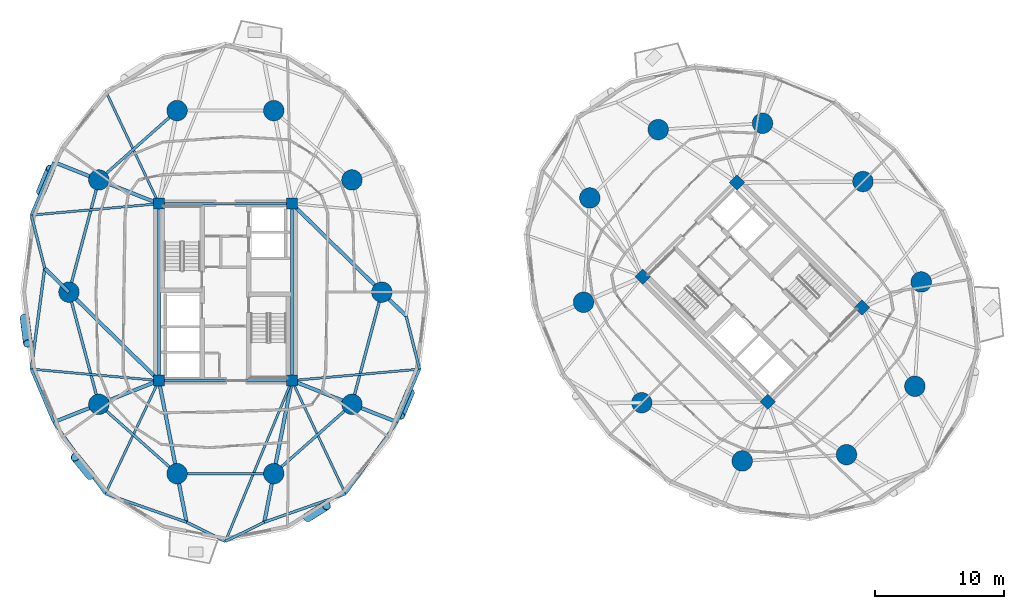
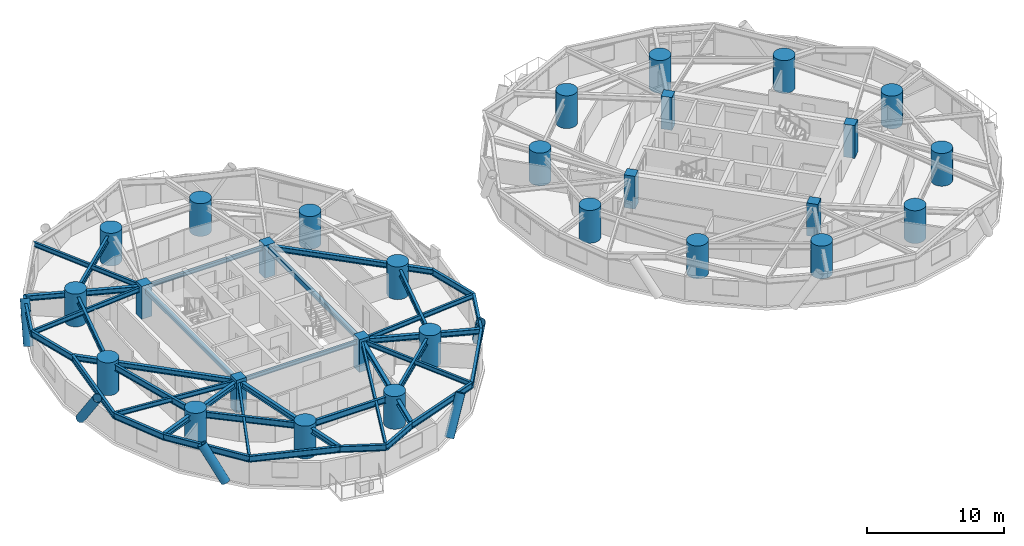
# One storey, part 1 of 17: 38 beams, 28 columns, 5 members.
"""IFC4 building model written with IfcOpenShell, lengths in metres."""

from ifc_helpers import new_model, si_unit, direction, frame, origin, origin_2d, place, context, subcontext, project, spatial, rectangle, hollow_rectangle, circle, hollow_circle, i_section, extrude, material, material_profile, profile_set, type_object, element, save


model = new_model("IFC4")

# Units and contexts
model_context = context("Model", 3, precision=1e-05, world=origin(), true_north=direction((0.0, 1.0)))
body_context = subcontext(model_context, "Body", "Model", "MODEL_VIEW")
ifc_project = project(units=[si_unit("LENGTHUNIT", "METRE"), si_unit("AREAUNIT", "SQUARE_METRE"), si_unit("VOLUMEUNIT", "CUBIC_METRE"), si_unit("PLANEANGLEUNIT", "RADIAN"), si_unit("MASSUNIT", "GRAM", prefix="KILO")], contexts=[model_context])

# Site, building, storey
site_placement = place(None, origin())
site = spatial("IfcSite", under=ifc_project, at=site_placement, CompositionType="ELEMENT")
building_placement = place(site_placement, origin())
building = spatial("IfcBuilding", under=site, at=building_placement, Name="Cununo Teusaquillo Station Towers", CompositionType="ELEMENT")
storey_placement = place(building_placement, frame((0.0, 0.0, 59.830078125)))
storey = spatial("IfcBuildingStorey", under=building, at=storey_placement, Name="L18", CompositionType="ELEMENT", Elevation=59.830078125)

# Columns
ifc_material_1 = material(Name="Concrete C50/60", Category="concrete")
ifc_material_profile_1 = material_profile(ifc_material_1, rectangle(XDim=0.85009765625, YDim=0.85009765625, at=origin_2d()), Name="RC-RECT-850x850")
ifc_profile_set_1 = profile_set([ifc_material_profile_1], Name="Concrete C50/60")
column_type_1 = type_object("IfcColumnType", Name="COL-CORE-Z1", PredefinedType="COLUMN", material=ifc_profile_set_1)
for number, where, z_axis, x_axis, name in (
    (1, (11.324951171875, 17.6201171875, 0.0), (0.0, 0.0, 1.0), (1.0, 0.0, 0.0), "L18 Tower A Core Column 1"),
    (2, (11.324951171875, 31.3798828125, 0.0), (0.0, 0.0, 1.0), (1.0, 0.0, 0.0), "L18 Tower A Core Column 2"),
    (3, (21.675048828125, 17.6201171875, 0.0), (0.0, 0.0, 1.0), (1.0, 0.0, 0.0), "L18 Tower A Core Column 3"),
    (4, (21.675048828125, 31.3798828125, 0.0), (0.0, 0.0, 1.0), (1.0, 0.0, 0.0), "L18 Tower A Core Column 4"),
    (5, (58.70556640625, 15.975830078125, 0.0), (0.0, 0.0, 1.0), (0.707106781187, 0.707106781187, 0.0), "L18 Tower B Core Column 1"),
    (6, (48.975830078125, 25.70556640625, 0.0), (0.0, 0.0, 1.0), (0.707106781187, 0.707106781187, 0.0), "L18 Tower B Core Column 2"),
    (7, (66.024169921875, 23.29443359375, 0.0), (0.0, 0.0, 1.0), (0.707106781187, 0.707106781187, 0.0), "L18 Tower B Core Column 3"),
    (8, (56.29443359375, 33.024169921875, 0.0), (0.0, 0.0, 1.0), (0.707106781187, 0.707106781187, 0.0), "L18 Tower B Core Column 4"),
):
    element("IfcColumn", number, at=place(storey_placement, frame(where, z_axis=z_axis, x_axis=x_axis)), inside=storey, type_object=column_type_1, Name=name, PredefinedType="COLUMN", context=body_context, shape_type="SweptSolid", body=[
        extrude(rectangle(XDim=0.85009765625, YDim=0.85009765625, at=origin_2d()), origin(), (0.0, 0.0, 1.0), 2.909912109375),
    ])
ifc_material_2 = material(Name="Concrete C60/75", Category="concrete")
ifc_material_profile_2 = material_profile(ifc_material_2, circle(Radius=0.800048828125, at=origin_2d()), Name="RC-CIRC-1600")
ifc_profile_set_2 = profile_set([ifc_material_profile_2], Name="Concrete C60/75")
column_type_2 = type_object("IfcColumnType", Name="COL-MEGA-Z1", PredefinedType="USERDEFINED", material=ifc_profile_set_2)
for number, where, z_axis, x_axis, name in (
    (9, (28.672119140625, 24.5, 0.0), (0.0, 0.0, 1.0), (1.0, 0.0, 0.0), "L18 Tower A Perimeter Column V00"),
    (10, (26.347412109375, 33.228515625, 0.0), (0.0, 0.0, 1.0), (1.0, 0.0, 0.0), "L18 Tower A Perimeter Column V02"),
    (11, (20.261474609375, 38.623291015625, 0.0), (0.0, 0.0, 1.0), (1.0, 0.0, 0.0), "L18 Tower A Perimeter Column V04"),
    (12, (12.738525390625, 38.623291015625, 0.0), (0.0, 0.0, 1.0), (1.0, 0.0, 0.0), "L18 Tower A Perimeter Column V06"),
    (13, (6.652587890625, 33.228515625, 0.0), (0.0, 0.0, 1.0), (1.0, 0.0, 0.0), "L18 Tower A Perimeter Column V08"),
    (14, (4.327880859375, 24.5, 0.0), (0.0, 0.0, 1.0), (1.0, 0.0, 0.0), "L18 Tower A Perimeter Column V10"),
    (15, (6.652587890625, 15.771484375, 0.0), (0.0, 0.0, 1.0), (1.0, 0.0, 0.0), "L18 Tower A Perimeter Column V12"),
    (16, (12.738525390625, 10.376708984375, 0.0), (0.0, 0.0, 1.0), (1.0, 0.0, 0.0), "L18 Tower A Perimeter Column V14"),
    (17, (20.261474609375, 10.376708984375, 0.0), (0.0, 0.0, 1.0), (1.0, 0.0, 0.0), "L18 Tower A Perimeter Column V16"),
    (18, (26.347412109375, 15.771484375, 0.0), (0.0, 0.0, 1.0), (1.0, 0.0, 0.0), "L18 Tower A Perimeter Column V18"),
    (19, (66.10693359375, 33.10693359375, 0.0), (0.0, 0.0, 1.0), (1.0, 0.0, 0.0), "L18 Tower B Perimeter Column V00"),
    (20, (58.291015625, 37.63525390625, 0.0), (0.0, 0.0, 1.0), (1.0, 0.0, 0.0), "L18 Tower B Perimeter Column V02"),
    (21, (50.173095703125, 37.146240234375, 0.0), (0.0, 0.0, 1.0), (1.0, 0.0, 0.0), "L18 Tower B Perimeter Column V04"),
    (22, (44.853759765625, 31.826904296875, 0.0), (0.0, 0.0, 1.0), (1.0, 0.0, 0.0), "L18 Tower B Perimeter Column V06"),
    (23, (44.36474609375, 23.708984375, 0.0), (0.0, 0.0, 1.0), (1.0, 0.0, 0.0), "L18 Tower B Perimeter Column V08"),
    (24, (48.89306640625, 15.89306640625, 0.0), (0.0, 0.0, 1.0), (1.0, 0.0, 0.0), "L18 Tower B Perimeter Column V10"),
    (25, (56.708984375, 11.36474609375, 0.0), (0.0, 0.0, 1.0), (1.0, 0.0, 0.0), "L18 Tower B Perimeter Column V12"),
    (26, (64.826904296875, 11.853759765625, 0.0), (0.0, 0.0, 1.0), (1.0, 0.0, 0.0), "L18 Tower B Perimeter Column V14"),
    (27, (70.146240234375, 17.173095703125, 0.0), (0.0, 0.0, 1.0), (1.0, 0.0, 0.0), "L18 Tower B Perimeter Column V16"),
    (28, (70.63525390625, 25.291015625, 0.0), (0.0, 0.0, 1.0), (1.0, 0.0, 0.0), "L18 Tower B Perimeter Column V18"),
):
    element("IfcColumn", number, at=place(storey_placement, frame(where, z_axis=z_axis, x_axis=x_axis)), inside=storey, type_object=column_type_2, Name=name, ObjectType="MEGA COLUMN", PredefinedType="USERDEFINED", context=body_context, shape_type="SweptSolid", body=[
        extrude(circle(Radius=0.800048828125, at=origin_2d()), origin(), (0.0, 0.0, 1.0), 2.909912109375),
    ])

# Beams
ifc_material_3 = material(Name="Steel EN 10025-2 S355J2", Category="steel")
ifc_material_profile_3 = material_profile(ifc_material_3, hollow_rectangle(XDim=0.25, YDim=0.449951171875, WallThickness=0.01611328125, at=origin_2d()), Name="RHS 450x250x16")
ifc_profile_set_3 = profile_set([ifc_material_profile_3], Name="Steel EN 10025-2 S355J2")
beam_type_1 = type_object("IfcBeamType", Name="BM-COUP-1", PredefinedType="USERDEFINED", material=ifc_profile_set_3)
for number, where, z_axis, x_axis, name in (
    (29, (11.324951171875, 17.6201171875, 2.4248046875), (0.0, 1.0, 0.0), (-1.0, 0.0, 0.0), "L18 Tower A Core Beam 1"),
    (30, (21.675048828125, 17.6201171875, 2.4248046875), (0.0, 1.0, 0.0), (-1.0, 0.0, 0.0), "L18 Tower A Core Beam 2"),
):
    element("IfcBeam", number, at=place(storey_placement, frame(where, z_axis=z_axis, x_axis=x_axis)), inside=storey, type_object=beam_type_1, Name=name, ObjectType="COUPLING BEAM", PredefinedType="USERDEFINED", context=body_context, shape_type="SweptSolid", body=[
        extrude(hollow_rectangle(XDim=0.25, YDim=0.449951171875, WallThickness=0.01611328125, at=origin_2d()), origin(), (0.0, 0.0, 1.0), 13.759765625),
    ])
ifc_material_4 = material(Name="Steel ASTM A572 Grade 50", Category="steel")
ifc_material_profile_4 = material_profile(ifc_material_4, i_section(OverallWidth=0.180908203125, OverallDepth=0.4169921875, WebThickness=0.010986328125, FlangeThickness=0.018310546875, FilletRadius=0.012939453125, at=origin_2d()), Name="W16X57")
ifc_profile_set_4 = profile_set([ifc_material_profile_4], Name="Steel ASTM A572 Grade 50")
beam_type_2 = type_object("IfcBeamType", Name="BM-JOIST-1", PredefinedType="JOIST", material=ifc_profile_set_4)
beam_1_placement = place(storey_placement, frame((11.324951171875, 31.3798828125, 2.44140625), z_axis=(-0.427160580437, 0.904175778552, 0.0), x_axis=(-0.904175778552, -0.427160580437, 0.0)))
element("IfcBeam", 31, at=beam_1_placement, inside=storey, type_object=beam_type_2, Name="L18 Tower A Radial Spandrel Joist V07", PredefinedType="JOIST", context=body_context, shape_type="SweptSolid", body=[
    extrude(i_section(OverallWidth=0.180908203125, OverallDepth=0.4169921875, WebThickness=0.010986328125, FlangeThickness=0.018310546875, FilletRadius=0.012939453125, at=origin_2d()), origin(), (0.0, 0.0, 1.0), 9.740234375),
])
for number, where, z_axis, x_axis, name in (
    (32, (11.324951171875, 31.3798828125, 2.44140625), (-0.996024214913, -0.089082901314, 0.0), (0.089082901314, -0.996024214913, 0.0), "L18 Tower A Radial Spandrel Joist V09"),
    (33, (11.324951171875, 17.6201171875, 2.44140625), (-0.996024214913, 0.089082901314, 0.0), (-0.089082901314, -0.996024214913, 0.0), "L18 Tower A Radial Spandrel Joist V11"),
):
    element("IfcBeam", number, at=place(storey_placement, frame(where, z_axis=z_axis, x_axis=x_axis)), inside=storey, type_object=beam_type_2, Name=name, PredefinedType="JOIST", context=body_context, shape_type="SweptSolid", body=[
        extrude(i_section(OverallWidth=0.180908203125, OverallDepth=0.4169921875, WebThickness=0.010986328125, FlangeThickness=0.018310546875, FilletRadius=0.012939453125, at=origin_2d()), origin(), (0.0, 0.0, 1.0), 9.97021484375),
    ])
beam_2_placement = place(storey_placement, frame((11.324951171875, 17.6201171875, 2.44140625), z_axis=(-0.427160580437, -0.904175778552, 0.0), x_axis=(0.904175778552, -0.427160580437, 0.0)))
element("IfcBeam", 34, at=beam_2_placement, inside=storey, type_object=beam_type_2, Name="L18 Tower A Radial Spandrel Joist V13", PredefinedType="JOIST", context=body_context, shape_type="SweptSolid", body=[
    extrude(i_section(OverallWidth=0.180908203125, OverallDepth=0.4169921875, WebThickness=0.010986328125, FlangeThickness=0.018310546875, FilletRadius=0.012939453125, at=origin_2d()), origin(), (0.0, 0.0, 1.0), 9.740234375),
])
beam_3_placement = place(storey_placement, frame((21.675048828125, 17.6201171875, 2.44140625), z_axis=(-0.382256753081, -0.924056153447, 0.0), x_axis=(0.924056153447, -0.382256753081, 0.0)))
element("IfcBeam", 35, at=beam_3_placement, inside=storey, type_object=beam_type_2, Name="L18 Tower A Radial Spandrel Joist V15", PredefinedType="JOIST", context=body_context, shape_type="SweptSolid", body=[
    extrude(i_section(OverallWidth=0.180908203125, OverallDepth=0.4169921875, WebThickness=0.010986328125, FlangeThickness=0.018310546875, FilletRadius=0.012939453125, at=origin_2d()), origin(), (0.0, 0.0, 1.0), 13.5380859375),
])
beam_4_placement = place(storey_placement, frame((21.675048828125, 17.6201171875, 2.44140625), z_axis=(0.427160580437, -0.904175778552, 0.0), x_axis=(0.904175778552, 0.427160580437, 0.0)))
element("IfcBeam", 36, at=beam_4_placement, inside=storey, type_object=beam_type_2, Name="L18 Tower A Radial Spandrel Joist V17", PredefinedType="JOIST", context=body_context, shape_type="SweptSolid", body=[
    extrude(i_section(OverallWidth=0.180908203125, OverallDepth=0.4169921875, WebThickness=0.010986328125, FlangeThickness=0.018310546875, FilletRadius=0.012939453125, at=origin_2d()), origin(), (0.0, 0.0, 1.0), 9.740234375),
])
beam_5_placement = place(storey_placement, frame((21.675048828125, 17.6201171875, 2.44140625), z_axis=(0.996024214913, 0.089082901314, 0.0), x_axis=(-0.089082901314, 0.996024214913, 0.0)))
element("IfcBeam", 37, at=beam_5_placement, inside=storey, type_object=beam_type_2, Name="L18 Tower A Radial Spandrel Joist V19", PredefinedType="JOIST", context=body_context, shape_type="SweptSolid", body=[
    extrude(i_section(OverallWidth=0.180908203125, OverallDepth=0.4169921875, WebThickness=0.010986328125, FlangeThickness=0.018310546875, FilletRadius=0.012939453125, at=origin_2d()), origin(), (0.0, 0.0, 1.0), 9.97021484375),
])
ifc_material_5 = material(Name="Steel ASTM A572 Grade 50", Category="steel")
ifc_material_profile_5 = material_profile(ifc_material_5, i_section(OverallWidth=0.2041015625, OverallDepth=0.35009765625, WebThickness=0.008544921875, FlangeThickness=0.01513671875, FilletRadius=0.011962890625, at=origin_2d()), Name="W14X48")
ifc_profile_set_5 = profile_set([ifc_material_profile_5], Name="Steel ASTM A572 Grade 50")
beam_type_3 = type_object("IfcBeamType", Name="BM-LINTEL-1", PredefinedType="LINTEL", material=ifc_profile_set_5)
for number, where, z_axis, x_axis, name in (
    (38, (11.324951171875, 17.6201171875, 2.474853515625), (1.0, 0.0, 0.0), (0.0, 1.0, 0.0), "L18 Tower A Core Beam 3"),
    (39, (11.324951171875, 31.3798828125, 2.474853515625), (1.0, 0.0, 0.0), (0.0, 1.0, 0.0), "L18 Tower A Core Beam 4"),
):
    element("IfcBeam", number, at=place(storey_placement, frame(where, z_axis=z_axis, x_axis=x_axis)), inside=storey, type_object=beam_type_3, Name=name, PredefinedType="LINTEL", context=body_context, shape_type="SweptSolid", body=[
        extrude(i_section(OverallWidth=0.2041015625, OverallDepth=0.35009765625, WebThickness=0.008544921875, FlangeThickness=0.01513671875, FilletRadius=0.011962890625, at=origin_2d()), origin(), (0.0, 0.0, 1.0), 10.35009765625),
    ])
ifc_material_6 = material(Name="Steel ASTM A572 Grade 50", Category="steel")
ifc_material_profile_6 = material_profile(ifc_material_6, i_section(OverallWidth=0.280029296875, OverallDepth=0.462890625, WebThickness=0.0107421875, FlangeThickness=0.017333984375, FilletRadius=0.013916015625, at=origin_2d()), Name="W18X76")
ifc_profile_set_6 = profile_set([ifc_material_profile_6], Name="Steel ASTM A572 Grade 50")
beam_type_4 = type_object("IfcBeamType", Name="BM-RAD-G1", PredefinedType="BEAM", material=ifc_profile_set_6)
beam_6_placement = place(storey_placement, frame((21.675048828125, 31.3798828125, 2.41845703125), z_axis=(0.713048497084, -0.701114713015, 0.0), x_axis=(0.701114713015, 0.713048497084, 0.0)))
element("IfcBeam", 40, at=beam_6_placement, inside=storey, type_object=beam_type_4, Name="L18 Tower A Continuous Overhanging Radial Girder 01", PredefinedType="BEAM", context=body_context, shape_type="SweptSolid", body=[
    extrude(i_section(OverallWidth=0.280029296875, OverallDepth=0.462890625, WebThickness=0.0107421875, FlangeThickness=0.017333984375, FilletRadius=0.013916015625, at=origin_2d()), origin(), (0.0, 0.0, 1.0), 12.458984375),
])
beam_7_placement = place(storey_placement, frame((11.324951171875, 31.3798828125, 2.41845703125), z_axis=(-0.929867137966, 0.367895509256, 0.0), x_axis=(-0.367895509256, -0.929867137966, 0.0)))
element("IfcBeam", 41, at=beam_7_placement, inside=storey, type_object=beam_type_4, Name="L18 Tower A Continuous Overhanging Radial Girder 05", PredefinedType="BEAM", context=body_context, shape_type="SweptSolid", body=[
    extrude(i_section(OverallWidth=0.280029296875, OverallDepth=0.462890625, WebThickness=0.0107421875, FlangeThickness=0.017333984375, FilletRadius=0.013916015625, at=origin_2d()), origin(), (0.0, 0.0, 1.0), 8.798095703125),
])
beam_8_placement = place(storey_placement, frame((11.324951171875, 17.6201171875, 2.41845703125), z_axis=(-0.713052701438, 0.701110437073, 0.0), x_axis=(-0.701110437073, -0.713052701438, 0.0)))
element("IfcBeam", 42, at=beam_8_placement, inside=storey, type_object=beam_type_4, Name="L18 Tower A Radial Girder 06A", PredefinedType="BEAM", context=body_context, shape_type="SweptSolid", body=[
    extrude(i_section(OverallWidth=0.280029296875, OverallDepth=0.462890625, WebThickness=0.0107421875, FlangeThickness=0.017333984375, FilletRadius=0.013916015625, at=origin_2d()), origin(), (0.0, 0.0, 1.0), 9.812744140625),
])
beam_9_placement = place(storey_placement, frame((4.327880859375, 24.5, 2.41845703125), z_axis=(-0.713032905062, 0.701130570079, 0.0), x_axis=(-0.701130570079, -0.713032905062, 0.0)))
element("IfcBeam", 43, at=beam_9_placement, inside=storey, type_object=beam_type_4, Name="L18 Tower A Perimeter Overhang Girder 06B", PredefinedType="BEAM", context=body_context, shape_type="SweptSolid", body=[
    extrude(i_section(OverallWidth=0.280029296875, OverallDepth=0.462890625, WebThickness=0.0107421875, FlangeThickness=0.017333984375, FilletRadius=0.013916015625, at=origin_2d()), origin(), (0.0, 0.0, 1.0), 2.64599609375),
])
beam_10_placement = place(storey_placement, frame((11.324951171875, 17.6201171875, 2.41845703125), z_axis=(-0.929867137966, -0.367895509256, 0.0), x_axis=(0.367895509256, -0.929867137966, 0.0)))
element("IfcBeam", 44, at=beam_10_placement, inside=storey, type_object=beam_type_4, Name="L18 Tower A Continuous Overhanging Radial Girder 07", PredefinedType="BEAM", context=body_context, shape_type="SweptSolid", body=[
    extrude(i_section(OverallWidth=0.280029296875, OverallDepth=0.462890625, WebThickness=0.0107421875, FlangeThickness=0.017333984375, FilletRadius=0.013916015625, at=origin_2d()), origin(), (0.0, 0.0, 1.0), 8.798095703125),
])
for number, where, z_axis, x_axis, name in (
    (45, (11.324951171875, 17.6201171875, 2.41845703125), (0.191552755713, -0.981482318628, 0.0), (0.981482318628, 0.191552755713, 0.0), "L18 Tower A Continuous Overhanging Radial Girder 08"),
    (46, (21.675048828125, 17.6201171875, 2.41845703125), (-0.191552755713, -0.981482318628, 0.0), (0.981482318628, -0.191552755713, 0.0), "L18 Tower A Continuous Overhanging Radial Girder 09"),
):
    element("IfcBeam", number, at=place(storey_placement, frame(where, z_axis=z_axis, x_axis=x_axis)), inside=storey, type_object=beam_type_4, Name=name, PredefinedType="BEAM", context=body_context, shape_type="SweptSolid", body=[
        extrude(i_section(OverallWidth=0.280029296875, OverallDepth=0.462890625, WebThickness=0.0107421875, FlangeThickness=0.017333984375, FilletRadius=0.013916015625, at=origin_2d()), origin(), (0.0, 0.0, 1.0), 11.22998046875),
    ])
beam_11_placement = place(storey_placement, frame((21.675048828125, 17.6201171875, 2.41845703125), z_axis=(0.929867137966, -0.367895509256, 0.0), x_axis=(0.367895509256, 0.929867137966, 0.0)))
element("IfcBeam", 47, at=beam_11_placement, inside=storey, type_object=beam_type_4, Name="L18 Tower A Continuous Overhanging Radial Girder 10", PredefinedType="BEAM", context=body_context, shape_type="SweptSolid", body=[
    extrude(i_section(OverallWidth=0.280029296875, OverallDepth=0.462890625, WebThickness=0.0107421875, FlangeThickness=0.017333984375, FilletRadius=0.013916015625, at=origin_2d()), origin(), (0.0, 0.0, 1.0), 8.798095703125),
])
ifc_material_7 = material(Name="Steel ASTM A572 Grade 50", Category="steel")
ifc_material_profile_7 = material_profile(ifc_material_7, i_section(OverallWidth=0.214111328125, OverallDepth=0.549072265625, WebThickness=0.0146484375, FlangeThickness=0.023681640625, FilletRadius=0.014892578125, at=origin_2d()), Name="W21X93")
ifc_profile_set_7 = profile_set([ifc_material_profile_7], Name="Steel ASTM A572 Grade 50")
beam_type_5 = type_object("IfcBeamType", Name="BM-RING-Z1", PredefinedType="SPANDREL", material=ifc_profile_set_7)
beam_12_placement = place(storey_placement, frame((12.738525390625, 38.623291015625, 2.37548828125), z_axis=(-0.74832120039, -0.66333655187, 0.0), x_axis=(0.66333655187, -0.74832120039, 0.0)))
element("IfcBeam", 48, at=beam_12_placement, inside=storey, type_object=beam_type_5, Name="L18 Tower A Structural Column Ring Girder 04", PredefinedType="SPANDREL", context=body_context, shape_type="SweptSolid", body=[
    extrude(i_section(OverallWidth=0.214111328125, OverallDepth=0.549072265625, WebThickness=0.0146484375, FlangeThickness=0.023681640625, FilletRadius=0.014892578125, at=origin_2d()), origin(), (0.0, 0.0, 1.0), 8.1328125),
])
for number, where, z_axis, x_axis, name in (
    (49, (6.652587890625, 33.228515625, 2.37548828125), (-0.257363196347, -0.966314744359, 0.0), (0.966314744359, -0.257363196347, 0.0), "L18 Tower A Structural Column Ring Girder 05"),
    (50, (4.327880859375, 24.5, 2.37548828125), (0.257363196347, -0.966314744359, 0.0), (0.966314744359, 0.257363196347, 0.0), "L18 Tower A Structural Column Ring Girder 06"),
):
    element("IfcBeam", number, at=place(storey_placement, frame(where, z_axis=z_axis, x_axis=x_axis)), inside=storey, type_object=beam_type_5, Name=name, PredefinedType="SPANDREL", context=body_context, shape_type="SweptSolid", body=[
        extrude(i_section(OverallWidth=0.214111328125, OverallDepth=0.549072265625, WebThickness=0.0146484375, FlangeThickness=0.023681640625, FilletRadius=0.014892578125, at=origin_2d()), origin(), (0.0, 0.0, 1.0), 9.03271484375),
    ])
beam_13_placement = place(storey_placement, frame((6.652587890625, 15.771484375, 2.37548828125), z_axis=(0.74832120039, -0.66333655187, 0.0), x_axis=(0.66333655187, 0.74832120039, 0.0)))
element("IfcBeam", 51, at=beam_13_placement, inside=storey, type_object=beam_type_5, Name="L18 Tower A Structural Column Ring Girder 07", PredefinedType="SPANDREL", context=body_context, shape_type="SweptSolid", body=[
    extrude(i_section(OverallWidth=0.214111328125, OverallDepth=0.549072265625, WebThickness=0.0146484375, FlangeThickness=0.023681640625, FilletRadius=0.014892578125, at=origin_2d()), origin(), (0.0, 0.0, 1.0), 8.1328125),
])
beam_14_placement = place(storey_placement, frame((12.738525390625, 10.376708984375, 2.37548828125), z_axis=(1.0, 0.0, 0.0), x_axis=(0.0, 1.0, 0.0)))
element("IfcBeam", 52, at=beam_14_placement, inside=storey, type_object=beam_type_5, Name="L18 Tower A Structural Column Ring Girder 08", PredefinedType="SPANDREL", context=body_context, shape_type="SweptSolid", body=[
    extrude(i_section(OverallWidth=0.214111328125, OverallDepth=0.549072265625, WebThickness=0.0146484375, FlangeThickness=0.023681640625, FilletRadius=0.014892578125, at=origin_2d()), origin(), (0.0, 0.0, 1.0), 7.52294921875),
])
beam_15_placement = place(storey_placement, frame((20.261474609375, 10.376708984375, 2.37548828125), z_axis=(0.74832120039, 0.66333655187, 0.0), x_axis=(-0.66333655187, 0.74832120039, 0.0)))
element("IfcBeam", 53, at=beam_15_placement, inside=storey, type_object=beam_type_5, Name="L18 Tower A Structural Column Ring Girder 09", PredefinedType="SPANDREL", context=body_context, shape_type="SweptSolid", body=[
    extrude(i_section(OverallWidth=0.214111328125, OverallDepth=0.549072265625, WebThickness=0.0146484375, FlangeThickness=0.023681640625, FilletRadius=0.014892578125, at=origin_2d()), origin(), (0.0, 0.0, 1.0), 8.1328125),
])
beam_16_placement = place(storey_placement, frame((26.347412109375, 15.771484375, 2.37548828125), z_axis=(0.257363196347, 0.966314744359, 0.0), x_axis=(-0.966314744359, 0.257363196347, 0.0)))
element("IfcBeam", 54, at=beam_16_placement, inside=storey, type_object=beam_type_5, Name="L18 Tower A Structural Column Ring Girder 10", PredefinedType="SPANDREL", context=body_context, shape_type="SweptSolid", body=[
    extrude(i_section(OverallWidth=0.214111328125, OverallDepth=0.549072265625, WebThickness=0.0146484375, FlangeThickness=0.023681640625, FilletRadius=0.014892578125, at=origin_2d()), origin(), (0.0, 0.0, 1.0), 9.03271484375),
])
beam_17_placement = place(storey_placement, frame((3.143798828125, 34.61669921875, 2.37548828125), z_axis=(-0.390457491743, -0.920620957366, 0.0), x_axis=(0.920620957366, -0.390457491743, 0.0)))
element("IfcBeam", 55, at=beam_17_placement, inside=storey, type_object=beam_type_5, Name="L18 Tower A Spandrel Ring Beam 09", PredefinedType="SPANDREL", context=body_context, shape_type="SweptSolid", body=[
    extrude(i_section(OverallWidth=0.214111328125, OverallDepth=0.549072265625, WebThickness=0.0146484375, FlangeThickness=0.023681640625, FilletRadius=0.014892578125, at=origin_2d()), origin(), (0.0, 0.0, 1.0), 4.480712890625),
])
beam_18_placement = place(storey_placement, frame((1.394287109375, 30.49169921875, 2.37548828125), z_axis=(0.24534835638, -0.969434981843, 0.0), x_axis=(0.969434981843, 0.24534835638, 0.0)))
element("IfcBeam", 56, at=beam_18_placement, inside=storey, type_object=beam_type_5, Name="L18 Tower A Spandrel Ring Beam 10", PredefinedType="SPANDREL", context=body_context, shape_type="SweptSolid", body=[
    extrude(i_section(OverallWidth=0.214111328125, OverallDepth=0.549072265625, WebThickness=0.0146484375, FlangeThickness=0.023681640625, FilletRadius=0.014892578125, at=origin_2d()), origin(), (0.0, 0.0, 1.0), 4.266845703125),
])
beam_19_placement = place(storey_placement, frame((2.441162109375, 26.355224609375, 2.37548828125), z_axis=(-0.132240482179, -0.991217662712, 0.0), x_axis=(0.991217662712, -0.132240482179, 0.0)))
element("IfcBeam", 57, at=beam_19_placement, inside=storey, type_object=beam_type_5, Name="L18 Tower A Spandrel Ring Beam 11", PredefinedType="SPANDREL", context=body_context, shape_type="SweptSolid", body=[
    extrude(i_section(OverallWidth=0.214111328125, OverallDepth=0.549072265625, WebThickness=0.0146484375, FlangeThickness=0.023681640625, FilletRadius=0.014892578125, at=origin_2d()), origin(), (0.0, 0.0, 1.0), 7.91650390625),
])
beam_20_placement = place(storey_placement, frame((1.394287109375, 18.50830078125, 2.37548828125), z_axis=(0.390457491743, -0.920620957366, 0.0), x_axis=(0.920620957366, 0.390457491743, 0.0)))
element("IfcBeam", 58, at=beam_20_placement, inside=storey, type_object=beam_type_5, Name="L18 Tower A Spandrel Ring Beam 12", PredefinedType="SPANDREL", context=body_context, shape_type="SweptSolid", body=[
    extrude(i_section(OverallWidth=0.214111328125, OverallDepth=0.549072265625, WebThickness=0.0146484375, FlangeThickness=0.023681640625, FilletRadius=0.014892578125, at=origin_2d()), origin(), (0.0, 0.0, 1.0), 4.480712890625),
])
beam_21_placement = place(storey_placement, frame((3.143798828125, 14.38330078125, 2.37548828125), z_axis=(0.585268642749, -0.810839451319, 0.0), x_axis=(0.810839451319, 0.585268642749, 0.0)))
element("IfcBeam", 59, at=beam_21_placement, inside=storey, type_object=beam_type_5, Name="L18 Tower A Spandrel Ring Beam 13", PredefinedType="SPANDREL", context=body_context, shape_type="SweptSolid", body=[
    extrude(i_section(OverallWidth=0.214111328125, OverallDepth=0.549072265625, WebThickness=0.0146484375, FlangeThickness=0.023681640625, FilletRadius=0.014892578125, at=origin_2d()), origin(), (0.0, 0.0, 1.0), 6.86962890625),
])
beam_22_placement = place(storey_placement, frame((7.164306640625, 8.813232421875, 2.37548828125), z_axis=(0.943579776012, -0.33114529485, 0.0), x_axis=(0.33114529485, 0.943579776012, 0.0)))
element("IfcBeam", 60, at=beam_22_placement, inside=storey, type_object=beam_type_5, Name="L18 Tower A Spandrel Ring Beam 14", PredefinedType="SPANDREL", context=body_context, shape_type="SweptSolid", body=[
    extrude(i_section(OverallWidth=0.214111328125, OverallDepth=0.549072265625, WebThickness=0.0146484375, FlangeThickness=0.023681640625, FilletRadius=0.014892578125, at=origin_2d()), origin(), (0.0, 0.0, 1.0), 6.689208984375),
])
for number, where, z_axis, x_axis, name in (
    (61, (13.47607421875, 6.59814453125, 2.37548828125), (0.8972488299, -0.441525239645, 0.0), (0.441525239645, 0.8972488299, 0.0), "L18 Tower A Spandrel Ring Beam 15"),
    (62, (16.5, 5.110107421875, 2.37548828125), (0.8972488299, 0.441525239645, 0.0), (-0.441525239645, 0.8972488299, 0.0), "L18 Tower A Spandrel Ring Beam 16"),
):
    element("IfcBeam", number, at=place(storey_placement, frame(where, z_axis=z_axis, x_axis=x_axis)), inside=storey, type_object=beam_type_5, Name=name, PredefinedType="SPANDREL", context=body_context, shape_type="SweptSolid", body=[
        extrude(i_section(OverallWidth=0.214111328125, OverallDepth=0.549072265625, WebThickness=0.0146484375, FlangeThickness=0.023681640625, FilletRadius=0.014892578125, at=origin_2d()), origin(), (0.0, 0.0, 1.0), 3.3701171875),
    ])
beam_23_placement = place(storey_placement, frame((19.52392578125, 6.59814453125, 2.37548828125), z_axis=(0.943579776012, 0.33114529485, 0.0), x_axis=(-0.33114529485, 0.943579776012, 0.0)))
element("IfcBeam", 63, at=beam_23_placement, inside=storey, type_object=beam_type_5, Name="L18 Tower A Spandrel Ring Beam 17", PredefinedType="SPANDREL", context=body_context, shape_type="SweptSolid", body=[
    extrude(i_section(OverallWidth=0.214111328125, OverallDepth=0.549072265625, WebThickness=0.0146484375, FlangeThickness=0.023681640625, FilletRadius=0.014892578125, at=origin_2d()), origin(), (0.0, 0.0, 1.0), 6.689208984375),
])
beam_24_placement = place(storey_placement, frame((25.835693359375, 8.813232421875, 2.37548828125), z_axis=(0.585268642749, 0.810839451319, 0.0), x_axis=(-0.810839451319, 0.585268642749, 0.0)))
element("IfcBeam", 64, at=beam_24_placement, inside=storey, type_object=beam_type_5, Name="L18 Tower A Spandrel Ring Beam 18", PredefinedType="SPANDREL", context=body_context, shape_type="SweptSolid", body=[
    extrude(i_section(OverallWidth=0.214111328125, OverallDepth=0.549072265625, WebThickness=0.0146484375, FlangeThickness=0.023681640625, FilletRadius=0.014892578125, at=origin_2d()), origin(), (0.0, 0.0, 1.0), 6.86962890625),
])
beam_25_placement = place(storey_placement, frame((29.856201171875, 14.38330078125, 2.37548828125), z_axis=(0.390457491743, 0.920620957366, 0.0), x_axis=(-0.920620957366, 0.390457491743, 0.0)))
element("IfcBeam", 65, at=beam_25_placement, inside=storey, type_object=beam_type_5, Name="L18 Tower A Spandrel Ring Beam 19", PredefinedType="SPANDREL", context=body_context, shape_type="SweptSolid", body=[
    extrude(i_section(OverallWidth=0.214111328125, OverallDepth=0.549072265625, WebThickness=0.0146484375, FlangeThickness=0.023681640625, FilletRadius=0.014892578125, at=origin_2d()), origin(), (0.0, 0.0, 1.0), 4.480712890625),
])
beam_26_placement = place(storey_placement, frame((31.605712890625, 18.50830078125, 2.37548828125), z_axis=(-0.24534835638, 0.969434981843, 0.0), x_axis=(-0.969434981843, -0.24534835638, 0.0)))
element("IfcBeam", 66, at=beam_26_placement, inside=storey, type_object=beam_type_5, Name="L18 Tower A Spandrel Ring Beam 20", PredefinedType="SPANDREL", context=body_context, shape_type="SweptSolid", body=[
    extrude(i_section(OverallWidth=0.214111328125, OverallDepth=0.549072265625, WebThickness=0.0146484375, FlangeThickness=0.023681640625, FilletRadius=0.014892578125, at=origin_2d()), origin(), (0.0, 0.0, 1.0), 4.266845703125),
])

# Members
ifc_material_8 = material(Name="Steel EN 10025-2 S355J2", Category="steel")
ifc_material_profile_8 = material_profile(ifc_material_8, hollow_circle(Radius=0.360107421875, WallThickness=0.028076171875, at=origin_2d()), Name="CHS 720x28")
ifc_profile_set_8 = profile_set([ifc_material_profile_8], Name="Steel EN 10025-2 S355J2")
member_type = type_object("IfcMemberType", Name="MBR-DIAG-Z1", PredefinedType="BRACE", material=ifc_profile_set_8)
member_1_placement = place(storey_placement, frame((2.146484375, 32.293701171875, -0.14013671875), z_axis=(0.214574395083, 0.514142544064, 0.830430775777), x_axis=(-0.92285479051, 0.385148069752, 0.0)))
element("IfcMember", 67, at=member_1_placement, inside=storey, type_object=member_type, Name="L18 Tower A Folded-Zigzag Diagrid Tube C08", PredefinedType="BRACE", context=body_context, shape_type="SweptSolid", body=[
    extrude(hollow_circle(Radius=0.360107421875, WallThickness=0.028076171875, at=origin_2d()), origin(), (0.0, 0.0, 1.0), 3.50439453125),
])
member_2_placement = place(storey_placement, frame((0.876220703125, 22.502685546875, -0.14013671875), z_axis=(0.073194258533, -0.564306347596, 0.822314384272), x_axis=(0.991692772403, 0.128629099208, 0.0)))
element("IfcMember", 68, at=member_2_placement, inside=storey, type_object=member_type, Name="L18 Tower A Folded-Zigzag Diagrid Tube C10", PredefinedType="BRACE", context=body_context, shape_type="SweptSolid", body=[
    extrude(hollow_circle(Radius=0.360107421875, WallThickness=0.028076171875, at=origin_2d()), origin(), (0.0, 0.0, 1.0), 3.5390625),
])
member_3_placement = place(storey_placement, frame((5.992919921875, 10.2431640625, -0.14013671875), z_axis=(-0.339717293986, 0.414714295097, 0.844158879364), x_axis=(-0.773586366768, -0.633690881385, 0.0)))
element("IfcMember", 69, at=member_3_placement, inside=storey, type_object=member_type, Name="L18 Tower A Folded-Zigzag Diagrid Tube C12", PredefinedType="BRACE", context=body_context, shape_type="SweptSolid", body=[
    extrude(hollow_circle(Radius=0.360107421875, WallThickness=0.028076171875, at=origin_2d()), origin(), (0.0, 0.0, 1.0), 3.447509765625),
])
member_4_placement = place(storey_placement, frame((22.884033203125, 6.97705078125, -0.14013671875), z_axis=(0.435392615837, 0.270814927303, 0.858540939748), x_axis=(-0.528166860975, 0.849140604946, 0.0)))
element("IfcMember", 70, at=member_4_placement, inside=storey, type_object=member_type, Name="L18 Tower A Folded-Zigzag Diagrid Tube C16", PredefinedType="BRACE", context=body_context, shape_type="SweptSolid", body=[
    extrude(hollow_circle(Radius=0.360107421875, WallThickness=0.028076171875, at=origin_2d()), origin(), (0.0, 0.0, 1.0), 3.3896484375),
])
member_5_placement = place(storey_placement, frame((30.853515625, 16.706298828125, -0.14013671875), z_axis=(-0.214574395083, -0.514142544064, 0.830430775777), x_axis=(0.92285479051, -0.385148069752, 0.0)))
element("IfcMember", 71, at=member_5_placement, inside=storey, type_object=member_type, Name="L18 Tower A Folded-Zigzag Diagrid Tube C18", PredefinedType="BRACE", context=body_context, shape_type="SweptSolid", body=[
    extrude(hollow_circle(Radius=0.360107421875, WallThickness=0.028076171875, at=origin_2d()), origin(), (0.0, 0.0, 1.0), 3.50439453125),
])

save(model, "model.ifc")
